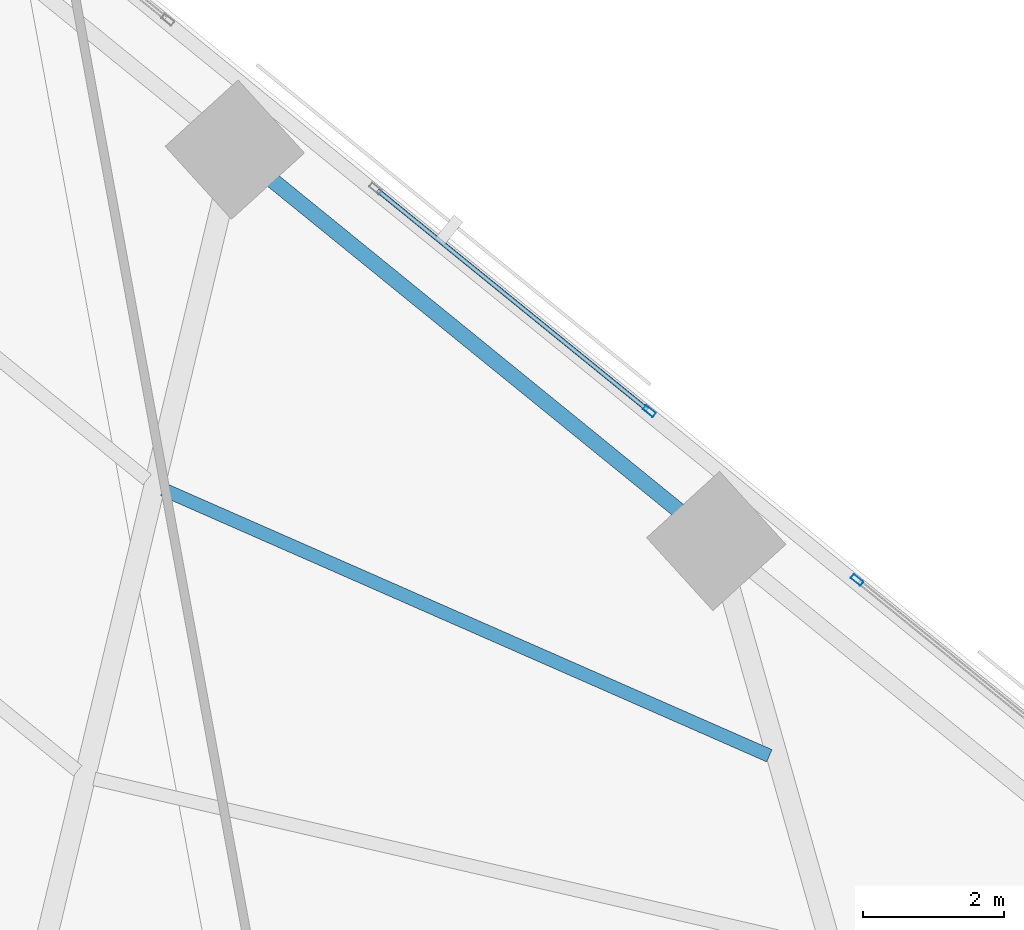
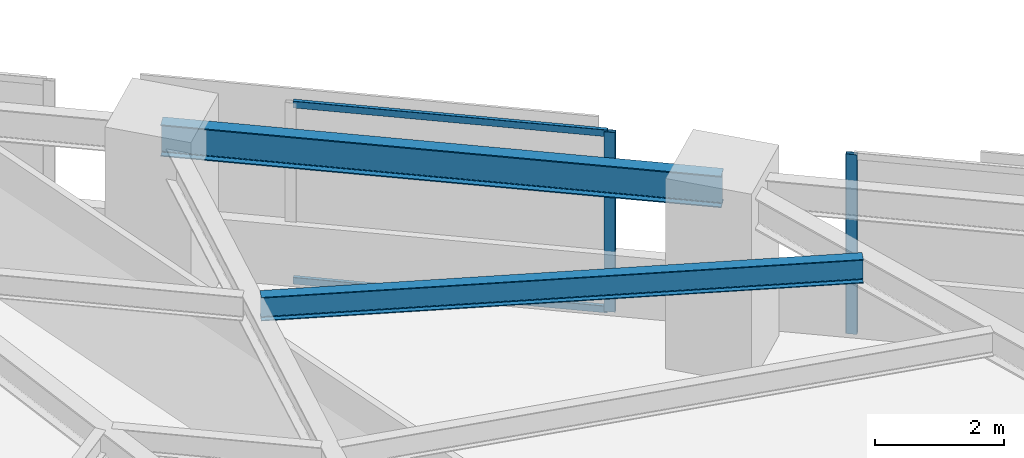
# One storey, part 10 of 17: 4 members, 2 beams, 2 elements without a shape of their own.
"""IFC4 building model written with IfcOpenShell, lengths in metres."""

from ifc_helpers import new_model, si_unit, direction, frame, origin, origin_2d, place, context, subcontext, project, spatial, hollow_rectangle, i_section, extrude, material, material_profile, profile_set, type_object, element, aggregate, save


model = new_model("IFC4")

# Units and contexts
model_context = context("Model", 3, precision=1e-05, world=origin(), true_north=direction((0.0, 1.0)))
body_context = subcontext(model_context, "Body", "Model", "MODEL_VIEW")
ifc_project = project(units=[si_unit("LENGTHUNIT", "METRE"), si_unit("AREAUNIT", "SQUARE_METRE"), si_unit("VOLUMEUNIT", "CUBIC_METRE"), si_unit("PLANEANGLEUNIT", "RADIAN"), si_unit("MASSUNIT", "GRAM", prefix="KILO")], contexts=[model_context])

# Site, building, storey
site_placement = place(None, origin())
site = spatial("IfcSite", under=ifc_project, at=site_placement, CompositionType="ELEMENT")
building_placement = place(site_placement, origin())
building = spatial("IfcBuilding", under=site, at=building_placement, Name="Narakoshi Arena Tower", CompositionType="ELEMENT")
storey_placement = place(building_placement, frame((0.0, 0.0, 30.300048828125)))
storey = spatial("IfcBuildingStorey", under=building, at=storey_placement, Name="L07", CompositionType="ELEMENT", Elevation=30.300048828125)

# Beams
ifc_material_1 = material(Name="Structural steel S355J2", Category="steel")
ifc_material_profile_1 = material_profile(ifc_material_1, i_section(OverallWidth=0.219970703125, OverallDepth=0.60009765625, WebThickness=0.011962890625, FlangeThickness=0.01904296875, FilletRadius=0.02392578125, at=origin_2d()), Name="IPE600")
ifc_profile_set_1 = profile_set([ifc_material_profile_1], Name="Structural steel S355J2")
beam_type_1 = type_object("IfcBeamType", Name="BM-EDGE-600", PredefinedType="BEAM", material=ifc_profile_set_1)
beam_1_placement = place(storey_placement, frame((82.626953125, 66.838623046875, 3.099853515625), z_axis=(-0.775997794165, 0.630735620883, 0.0), x_axis=(-0.630735620883, -0.775997794165, 0.0)))
element("IfcBeam", 1, at=beam_1_placement, inside=storey, type_object=beam_type_1, Name="L07 Perimeter Edge Girder 10", PredefinedType="BEAM", context=body_context, shape_type="SweptSolid", body=[
    extrude(i_section(OverallWidth=0.219970703125, OverallDepth=0.60009765625, WebThickness=0.011962890625, FlangeThickness=0.01904296875, FilletRadius=0.02392578125, at=origin_2d()), origin(), (0.0, 0.0, 1.0), 8.80517578125),
])
ifc_material_profile_2 = material_profile(ifc_material_1, i_section(OverallWidth=0.18994140625, OverallDepth=0.449951171875, WebThickness=0.009521484375, FlangeThickness=0.0146484375, FilletRadius=0.02099609375, at=origin_2d()), Name="IPE450")
ifc_profile_set_2 = profile_set([ifc_material_profile_2], Name="Structural steel S355J2")
beam_type_2 = type_object("IfcBeamType", Name="BM-SEC-450", PredefinedType="JOIST", material=ifc_profile_set_2)
beam_2_placement = place(storey_placement, frame((83.38037109375, 63.79150390625, 3.175048828125), z_axis=(-0.91553294009, 0.402243005669, 0.0), x_axis=(-0.402243005669, -0.91553294009, 0.0)))
element("IfcBeam", 2, at=beam_2_placement, inside=storey, type_object=beam_type_2, Name="L07 Composite Secondary Floor Joist 08", PredefinedType="JOIST", context=body_context, shape_type="SweptSolid", body=[
    extrude(i_section(OverallWidth=0.18994140625, OverallDepth=0.449951171875, WebThickness=0.009521484375, FlangeThickness=0.0146484375, FilletRadius=0.02099609375, at=origin_2d()), origin(), (0.0, 0.0, 1.0), 9.394287109375),
])

# Curtain wall, member
ifc_material_2 = material(Name="Anodised bronze aluminium 6063-T6", Category="aluminium")
curtain_wall_type = type_object("IfcCurtainWallType", Name="CW-HYP-LOW", PredefinedType="NOTDEFINED", material=ifc_material_2)
curtain_wall_1_placement = place(storey_placement, origin())
curtain_wall_1 = element("IfcCurtainWall", 3, at=curtain_wall_1_placement, inside=storey, type_object=curtain_wall_type, Name="L07 Folded Hypotenuse Curtain Wall 2-2", PredefinedType="NOTDEFINED")
ifc_material_profile_3 = material_profile(ifc_material_2, hollow_rectangle(XDim=0.074951171875, YDim=0.179931640625, WallThickness=0.00390625, OuterFilletRadius=0.0048828125, at=origin_2d()), Name="MUL180x75x4")
ifc_profile_set_3 = profile_set([ifc_material_profile_3], Name="Anodised bronze aluminium 6063-T6")
member_type_1 = type_object("IfcMemberType", Name="MEM-MUL-180", PredefinedType="MULLION", material=ifc_profile_set_3)
member_1_placement = place(storey_placement, frame((84.623779296875, 66.285400390625, 0.0), z_axis=(0.0, 0.0, 1.0), x_axis=(-0.630734833051, -0.775998434519, 0.0)))
member_1 = element("IfcMember", 4, at=member_1_placement, type_object=member_type_1, Name="CW-01 mullion 2", PredefinedType="MULLION", context=body_context, shape_type="SweptSolid", body=[
    extrude(hollow_rectangle(XDim=0.074951171875, YDim=0.179931640625, WallThickness=0.00390625, OuterFilletRadius=0.0048828125, at=origin_2d()), origin(), (0.0, 0.0, 1.0), 3.39990234375),
])
aggregate(curtain_wall_1, [member_1])

# Curtain wall, members
curtain_wall_2_placement = place(storey_placement, origin())
curtain_wall_2 = element("IfcCurtainWall", 5, at=curtain_wall_2_placement, inside=storey, type_object=curtain_wall_type, Name="L07 Folded Hypotenuse Curtain Wall 2-3", PredefinedType="NOTDEFINED")
member_2_placement = place(storey_placement, frame((81.677001953125, 68.6806640625, 0.0), z_axis=(0.0, 0.0, 1.0), x_axis=(-0.630722984816, -0.776008064665, 0.0)))
member_2 = element("IfcMember", 6, at=member_2_placement, type_object=member_type_1, Name="CW-01 mullion 1", PredefinedType="MULLION", context=body_context, shape_type="SweptSolid", body=[
    extrude(hollow_rectangle(XDim=0.074951171875, YDim=0.179931640625, WallThickness=0.00390625, OuterFilletRadius=0.0048828125, at=origin_2d()), origin(), (0.0, 0.0, 1.0), 3.39990234375),
])
ifc_material_profile_4 = material_profile(ifc_material_2, hollow_rectangle(XDim=0.06494140625, YDim=0.1298828125, WallThickness=0.00390625, OuterFilletRadius=0.0048828125, at=origin_2d()), Name="TRN130x65x4")
ifc_profile_set_4 = profile_set([ifc_material_profile_4], Name="Anodised bronze aluminium 6063-T6")
member_type_2 = type_object("IfcMemberType", Name="MEM-TRN-130", PredefinedType="USERDEFINED", material=ifc_profile_set_4)
member_3_placement = place(storey_placement, frame((81.647705078125, 68.704345703125, 0.032470703125), z_axis=(-0.77600648718, 0.630724925665, 0.0), x_axis=(-0.630724925665, -0.77600648718, 0.0)))
member_3 = element("IfcMember", 7, at=member_3_placement, type_object=member_type_2, Name="CW-01 transom 1.1", ObjectType="TRANSOM", PredefinedType="USERDEFINED", context=body_context, shape_type="SweptSolid", body=[
    extrude(hollow_rectangle(XDim=0.06494140625, YDim=0.1298828125, WallThickness=0.00390625, OuterFilletRadius=0.0048828125, at=origin_2d()), origin(), (0.0, 0.0, 1.0), 4.93212890625),
])
member_4_placement = place(storey_placement, frame((81.647705078125, 68.704345703125, 3.367431640625), z_axis=(-0.77600648718, 0.630724925665, 0.0), x_axis=(-0.630724925665, -0.77600648718, 0.0)))
member_4 = element("IfcMember", 8, at=member_4_placement, type_object=member_type_2, Name="CW-01 transom 1.2", ObjectType="TRANSOM", PredefinedType="USERDEFINED", context=body_context, shape_type="SweptSolid", body=[
    extrude(hollow_rectangle(XDim=0.06494140625, YDim=0.1298828125, WallThickness=0.00390625, OuterFilletRadius=0.0048828125, at=origin_2d()), origin(), (0.0, 0.0, 1.0), 4.93212890625),
])
aggregate(curtain_wall_2, [member_2, member_3, member_4])

save(model, "model.ifc")
